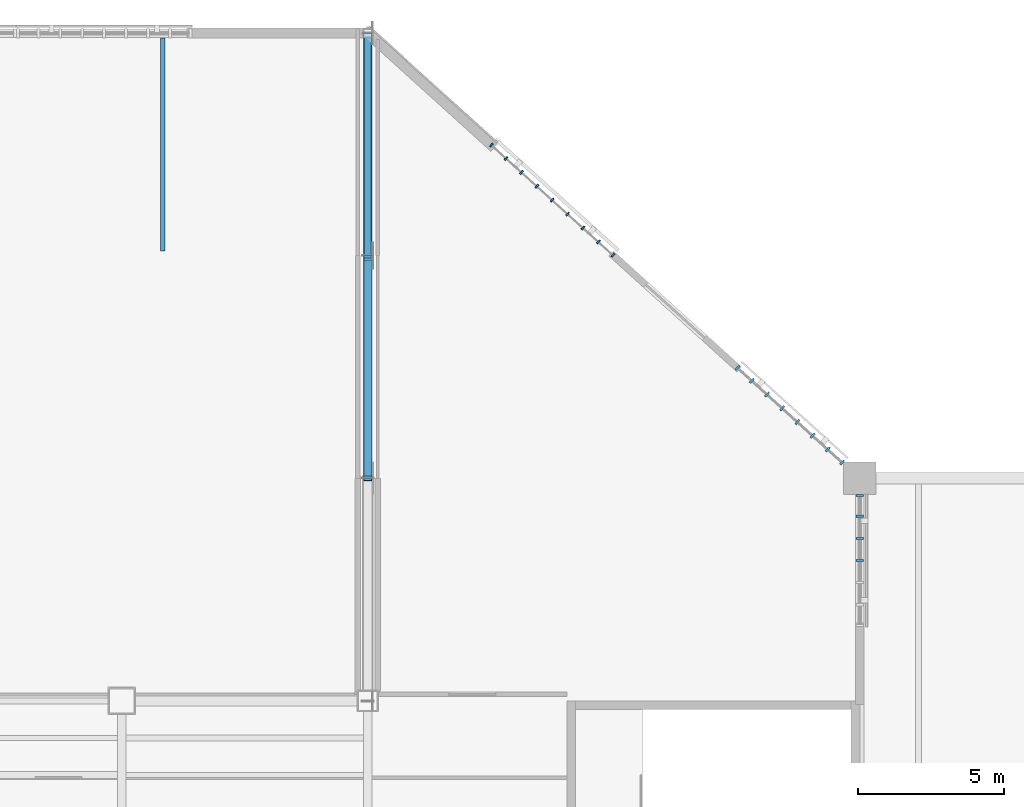
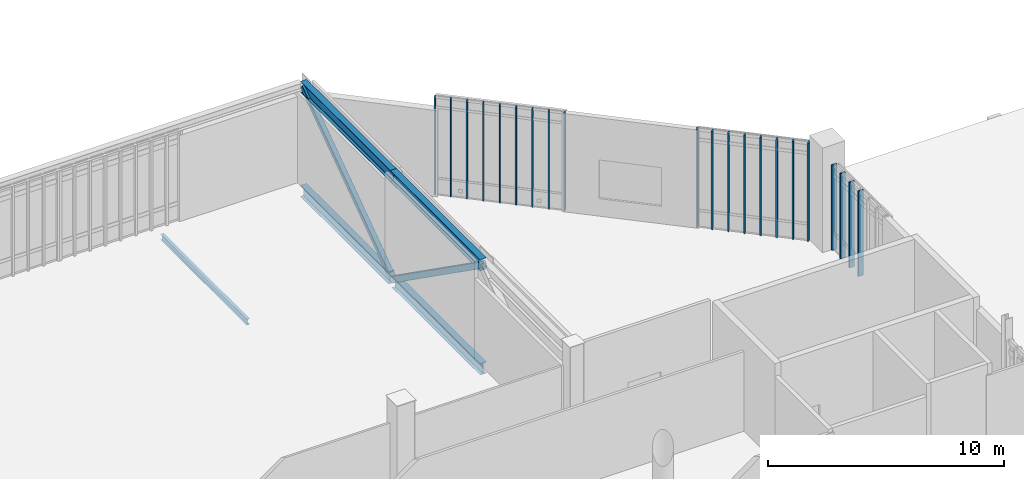
# One storey, part 30 of 135: 23 members, 5 beams, 3 elements without a shape of their own.
"""IFC4 building model written with IfcOpenShell, lengths in metres."""

from ifc_helpers import new_model, si_unit, direction, frame, origin, origin_2d, place, context, subcontext, project, spatial, rectangle, hollow_rectangle, i_section, extrude, material, material_profile, profile_set, type_object, element, aggregate, save


model = new_model("IFC4")

# Units and contexts
model_context = context("Model", 3, precision=1e-05, world=origin(), true_north=direction((0.0, 1.0)))
body_context = subcontext(model_context, "Body", "Model", "MODEL_VIEW")
ifc_project = project(units=[si_unit("LENGTHUNIT", "METRE"), si_unit("AREAUNIT", "SQUARE_METRE"), si_unit("VOLUMEUNIT", "CUBIC_METRE"), si_unit("PLANEANGLEUNIT", "RADIAN"), si_unit("MASSUNIT", "GRAM", prefix="KILO")], contexts=[model_context])

# Site, building, storey
site_placement = place(None, origin())
site = spatial("IfcSite", under=ifc_project, at=site_placement, CompositionType="ELEMENT")
building_placement = place(site_placement, origin())
building = spatial("IfcBuilding", under=site, at=building_placement, Name="Larkvane Passage Sports Hall", CompositionType="ELEMENT")
storey_placement = place(building_placement, frame((0.0, 0.0, 16.800048828125)))
storey = spatial("IfcBuildingStorey", under=building, at=storey_placement, Name="L03", CompositionType="ELEMENT", Elevation=16.800048828125)

# Beams
ifc_material_1 = material(Name="Steel S460N", Category="steel")
ifc_material_profile_1 = material_profile(ifc_material_1, i_section(OverallWidth=0.300048828125, OverallDepth=0.587890625, WebThickness=0.011962890625, FlangeThickness=0.02001953125, FilletRadius=0.02197265625, at=origin_2d()), Name="H-588x300x12x20")
ifc_profile_set_1 = profile_set([ifc_material_profile_1], Name="Steel S460N")
beam_type_1 = type_object("IfcBeamType", Name="BM-STL-H588", PredefinedType="BEAM", material=ifc_profile_set_1)
beam_1_placement = place(storey_placement, frame((76.800048828125, 99.199951171875, -0.614013671875), z_axis=(0.0, 1.0, 0.0), x_axis=(-1.0, 0.0, 0.0)))
element("IfcBeam", 1, at=beam_1_placement, inside=storey, type_object=beam_type_1, Name="Cantilever truss CT-N3A-2 bottom chord 2", PredefinedType="BEAM", context=body_context, shape_type="SweptSolid", body=[
    extrude(i_section(OverallWidth=0.300048828125, OverallDepth=0.587890625, WebThickness=0.011962890625, FlangeThickness=0.02001953125, FilletRadius=0.02197265625, at=origin_2d()), origin(), (0.0, 0.0, 1.0), 7.445068359375),
])
beam_2_placement = place(storey_placement, frame((76.800048828125, 99.199951171875, 4.755859375), z_axis=(0.0, 1.0, 0.0), x_axis=(-1.0, 0.0, 0.0)))
element("IfcBeam", 2, at=beam_2_placement, inside=storey, type_object=beam_type_1, Name="Cantilever truss CT-N3A-2 top chord 2", PredefinedType="BEAM", context=body_context, shape_type="SweptSolid", body=[
    extrude(i_section(OverallWidth=0.300048828125, OverallDepth=0.587890625, WebThickness=0.011962890625, FlangeThickness=0.02001953125, FilletRadius=0.02197265625, at=origin_2d()), origin(), (0.0, 0.0, 1.0), 7.60009765625),
])
beam_3_placement = place(storey_placement, frame((76.800048828125, 106.955078125, -0.614013671875), z_axis=(0.0, 1.0, 0.0), x_axis=(-1.0, 0.0, 0.0)))
element("IfcBeam", 3, at=beam_3_placement, inside=storey, type_object=beam_type_1, Name="Cantilever truss CT-N3A-2 bottom chord 3", PredefinedType="BEAM", context=body_context, shape_type="SweptSolid", body=[
    extrude(i_section(OverallWidth=0.300048828125, OverallDepth=0.587890625, WebThickness=0.011962890625, FlangeThickness=0.02001953125, FilletRadius=0.02197265625, at=origin_2d()), origin(), (0.0, 0.0, 1.0), 7.44482421875),
])
beam_4_placement = place(storey_placement, frame((76.800048828125, 106.800048828125, 4.755859375), z_axis=(0.0, 1.0, 0.0), x_axis=(-1.0, 0.0, 0.0)))
element("IfcBeam", 4, at=beam_4_placement, inside=storey, type_object=beam_type_1, Name="Cantilever truss CT-N3A-2 top chord 3", PredefinedType="BEAM", context=body_context, shape_type="SweptSolid", body=[
    extrude(i_section(OverallWidth=0.300048828125, OverallDepth=0.587890625, WebThickness=0.011962890625, FlangeThickness=0.02001953125, FilletRadius=0.02197265625, at=origin_2d()), origin(), (0.0, 0.0, 1.0), 7.599853515625),
])

# Curtain wall, members
ifc_material_2 = material(Name="Thermally broken aluminium and low-E glazing", Category="aluminium")
curtain_wall_type_1 = type_object("IfcCurtainWallType", Name="CW-UNIT-COURT", PredefinedType="USERDEFINED", material=ifc_material_2)
curtain_wall_1_placement = place(storey_placement, origin())
curtain_wall_1 = element("IfcCurtainWall", 5, at=curtain_wall_1_placement, inside=storey, type_object=curtain_wall_type_1, Name="Curtain wall CW5-L03-140", ObjectType="UNITISED CURTAIN WALL", PredefinedType="USERDEFINED")
ifc_material_3 = material(Name="Anodised aluminium 6063-T6", Category="aluminium")
ifc_material_profile_2 = material_profile(ifc_material_3, rectangle(XDim=0.06005859375, YDim=0.14990234375, at=origin_2d()), Name="ALU-MUL-60x150")
ifc_profile_set_2 = profile_set([ifc_material_profile_2], Name="Anodised aluminium 6063-T6")
member_type_1 = type_object("IfcMemberType", Name="CW-MUL-60x150", PredefinedType="MULLION", material=ifc_profile_set_2)
member_1_placement = place(storey_placement, frame((81.022216796875, 110.579833984375, 0.0), z_axis=(0.0, 0.0, 1.0), x_axis=(0.741535779122, -0.670913323971, 0.0)))
member_1 = element("IfcMember", 6, at=member_1_placement, type_object=member_type_1, Name="CW-01 mullion 1", PredefinedType="MULLION", context=body_context, shape_type="SweptSolid", body=[
    extrude(rectangle(XDim=0.06005859375, YDim=0.14990234375, at=origin_2d()), origin(), (0.0, 0.0, 1.0), 5.070068359375),
])
member_2_placement = place(storey_placement, frame((81.52490234375, 110.125, 0.0), z_axis=(0.0, 0.0, 1.0), x_axis=(0.741535779122, -0.670913323971, 0.0)))
member_2 = element("IfcMember", 7, at=member_2_placement, type_object=member_type_1, Name="CW-01 mullion 2", PredefinedType="MULLION", context=body_context, shape_type="SweptSolid", body=[
    extrude(rectangle(XDim=0.06005859375, YDim=0.14990234375, at=origin_2d()), origin(), (0.0, 0.0, 1.0), 5.070068359375),
])
member_3_placement = place(storey_placement, frame((82.050048828125, 109.64990234375, 0.0), z_axis=(0.0, 0.0, 1.0), x_axis=(0.741535779122, -0.670913323971, 0.0)))
member_3 = element("IfcMember", 8, at=member_3_placement, type_object=member_type_1, Name="CW-01 mullion 3", PredefinedType="MULLION", context=body_context, shape_type="SweptSolid", body=[
    extrude(rectangle(XDim=0.06005859375, YDim=0.14990234375, at=origin_2d()), origin(), (0.0, 0.0, 1.0), 5.070068359375),
])
member_4_placement = place(storey_placement, frame((82.574951171875, 109.175048828125, 0.0), z_axis=(0.0, 0.0, 1.0), x_axis=(0.741535779122, -0.670913323971, 0.0)))
member_4 = element("IfcMember", 9, at=member_4_placement, type_object=member_type_1, Name="CW-01 mullion 4", PredefinedType="MULLION", context=body_context, shape_type="SweptSolid", body=[
    extrude(rectangle(XDim=0.06005859375, YDim=0.14990234375, at=origin_2d()), origin(), (0.0, 0.0, 1.0), 5.070068359375),
])
member_5_placement = place(storey_placement, frame((83.10009765625, 108.699951171875, 0.0), z_axis=(0.0, 0.0, 1.0), x_axis=(0.741535779122, -0.670913323971, 0.0)))
member_5 = element("IfcMember", 10, at=member_5_placement, type_object=member_type_1, Name="CW-01 mullion 5", PredefinedType="MULLION", context=body_context, shape_type="SweptSolid", body=[
    extrude(rectangle(XDim=0.06005859375, YDim=0.14990234375, at=origin_2d()), origin(), (0.0, 0.0, 1.0), 5.070068359375),
])
member_6_placement = place(storey_placement, frame((83.625, 108.22509765625, 0.0), z_axis=(0.0, 0.0, 1.0), x_axis=(0.741535779122, -0.670913323971, 0.0)))
member_6 = element("IfcMember", 11, at=member_6_placement, type_object=member_type_1, Name="CW-01 mullion 6", PredefinedType="MULLION", context=body_context, shape_type="SweptSolid", body=[
    extrude(rectangle(XDim=0.06005859375, YDim=0.14990234375, at=origin_2d()), origin(), (0.0, 0.0, 1.0), 5.070068359375),
])
member_7_placement = place(storey_placement, frame((84.14990234375, 107.75, 0.0), z_axis=(0.0, 0.0, 1.0), x_axis=(0.741535779122, -0.670913323971, 0.0)))
member_7 = element("IfcMember", 12, at=member_7_placement, type_object=member_type_1, Name="CW-01 mullion 7", PredefinedType="MULLION", context=body_context, shape_type="SweptSolid", body=[
    extrude(rectangle(XDim=0.06005859375, YDim=0.14990234375, at=origin_2d()), origin(), (0.0, 0.0, 1.0), 5.070068359375),
])
member_8_placement = place(storey_placement, frame((84.675048828125, 107.27490234375, 0.0), z_axis=(0.0, 0.0, 1.0), x_axis=(0.741535779122, -0.670913323971, 0.0)))
member_8 = element("IfcMember", 13, at=member_8_placement, type_object=member_type_1, Name="CW-01 mullion 8", PredefinedType="MULLION", context=body_context, shape_type="SweptSolid", body=[
    extrude(rectangle(XDim=0.06005859375, YDim=0.14990234375, at=origin_2d()), origin(), (0.0, 0.0, 1.0), 5.070068359375),
])
member_9_placement = place(storey_placement, frame((85.177734375, 106.820068359375, 0.0), z_axis=(0.0, 0.0, 1.0), x_axis=(0.741535779122, -0.670913323971, 0.0)))
member_9 = element("IfcMember", 14, at=member_9_placement, type_object=member_type_1, Name="CW-01 mullion 9", PredefinedType="MULLION", context=body_context, shape_type="SweptSolid", body=[
    extrude(rectangle(XDim=0.06005859375, YDim=0.14990234375, at=origin_2d()), origin(), (0.0, 0.0, 1.0), 5.070068359375),
])
aggregate(curtain_wall_1, [member_1, member_2, member_3, member_4, member_5, member_6, member_7, member_8, member_9])

curtain_wall_type_2 = type_object("IfcCurtainWallType", Name="CW-UNIT-VEIL", PredefinedType="USERDEFINED", material=ifc_material_2)
curtain_wall_2_placement = place(storey_placement, origin())
curtain_wall_2 = element("IfcCurtainWall", 15, at=curtain_wall_2_placement, inside=storey, type_object=curtain_wall_type_2, Name="Curtain wall CW5-L03-141", ObjectType="UNITISED CURTAIN WALL", PredefinedType="USERDEFINED")
ifc_material_profile_3 = material_profile(ifc_material_3, rectangle(XDim=0.070068359375, YDim=0.199951171875, at=origin_2d()), Name="ALU-MUL-70x200")
ifc_profile_set_3 = profile_set([ifc_material_profile_3], Name="Anodised aluminium 6063-T6")
member_type_2 = type_object("IfcMemberType", Name="CW-MUL-70x200", PredefinedType="MULLION", material=ifc_profile_set_3)
member_10_placement = place(storey_placement, frame((89.426025390625, 102.9765625, 0.0), z_axis=(0.0, 0.0, 1.0), x_axis=(0.741533841653, -0.670915465378, 0.0)))
member_10 = element("IfcMember", 16, at=member_10_placement, type_object=member_type_2, Name="CW-02 mullion 1", PredefinedType="MULLION", context=body_context, shape_type="SweptSolid", body=[
    extrude(rectangle(XDim=0.070068359375, YDim=0.199951171875, at=origin_2d()), origin(), (0.0, 0.0, 1.0), 5.070068359375),
])
member_11_placement = place(storey_placement, frame((89.918212890625, 102.53125, 0.0), z_axis=(0.0, 0.0, 1.0), x_axis=(0.741533841653, -0.670915465378, 0.0)))
member_11 = element("IfcMember", 17, at=member_11_placement, type_object=member_type_2, Name="CW-02 mullion 2", PredefinedType="MULLION", context=body_context, shape_type="SweptSolid", body=[
    extrude(rectangle(XDim=0.070068359375, YDim=0.199951171875, at=origin_2d()), origin(), (0.0, 0.0, 1.0), 5.070068359375),
])
member_12_placement = place(storey_placement, frame((90.436279296875, 102.0625, 0.0), z_axis=(0.0, 0.0, 1.0), x_axis=(0.741533841653, -0.670915465378, 0.0)))
member_12 = element("IfcMember", 18, at=member_12_placement, type_object=member_type_2, Name="CW-02 mullion 3", PredefinedType="MULLION", context=body_context, shape_type="SweptSolid", body=[
    extrude(rectangle(XDim=0.070068359375, YDim=0.199951171875, at=origin_2d()), origin(), (0.0, 0.0, 1.0), 5.070068359375),
])
member_13_placement = place(storey_placement, frame((90.954345703125, 101.59375, 0.0), z_axis=(0.0, 0.0, 1.0), x_axis=(0.741533841653, -0.670915465378, 0.0)))
member_13 = element("IfcMember", 19, at=member_13_placement, type_object=member_type_2, Name="CW-02 mullion 4", PredefinedType="MULLION", context=body_context, shape_type="SweptSolid", body=[
    extrude(rectangle(XDim=0.070068359375, YDim=0.199951171875, at=origin_2d()), origin(), (0.0, 0.0, 1.0), 5.070068359375),
])
member_14_placement = place(storey_placement, frame((91.472412109375, 101.124755859375, 0.0), z_axis=(0.0, 0.0, 1.0), x_axis=(0.741533841653, -0.670915465378, 0.0)))
member_14 = element("IfcMember", 20, at=member_14_placement, type_object=member_type_2, Name="CW-02 mullion 5", PredefinedType="MULLION", context=body_context, shape_type="SweptSolid", body=[
    extrude(rectangle(XDim=0.070068359375, YDim=0.199951171875, at=origin_2d()), origin(), (0.0, 0.0, 1.0), 5.070068359375),
])
member_15_placement = place(storey_placement, frame((91.99072265625, 100.656005859375, 0.0), z_axis=(0.0, 0.0, 1.0), x_axis=(0.741533841653, -0.670915465378, 0.0)))
member_15 = element("IfcMember", 21, at=member_15_placement, type_object=member_type_2, Name="CW-02 mullion 6", PredefinedType="MULLION", context=body_context, shape_type="SweptSolid", body=[
    extrude(rectangle(XDim=0.070068359375, YDim=0.199951171875, at=origin_2d()), origin(), (0.0, 0.0, 1.0), 5.070068359375),
])
member_16_placement = place(storey_placement, frame((92.5087890625, 100.187255859375, 0.0), z_axis=(0.0, 0.0, 1.0), x_axis=(0.741533841653, -0.670915465378, 0.0)))
member_16 = element("IfcMember", 22, at=member_16_placement, type_object=member_type_2, Name="CW-02 mullion 7", PredefinedType="MULLION", context=body_context, shape_type="SweptSolid", body=[
    extrude(rectangle(XDim=0.070068359375, YDim=0.199951171875, at=origin_2d()), origin(), (0.0, 0.0, 1.0), 5.070068359375),
])
member_17_placement = place(storey_placement, frame((93.0009765625, 99.741943359375, 0.0), z_axis=(0.0, 0.0, 1.0), x_axis=(0.741533841653, -0.670915465378, 0.0)))
member_17 = element("IfcMember", 23, at=member_17_placement, type_object=member_type_2, Name="CW-02 mullion 8", PredefinedType="MULLION", context=body_context, shape_type="SweptSolid", body=[
    extrude(rectangle(XDim=0.070068359375, YDim=0.199951171875, at=origin_2d()), origin(), (0.0, 0.0, 1.0), 5.070068359375),
])
aggregate(curtain_wall_2, [member_10, member_11, member_12, member_13, member_14, member_15, member_16, member_17])

curtain_wall_type_3 = type_object("IfcCurtainWallType", Name="CW-STICK-FOYER", PredefinedType="USERDEFINED", material=ifc_material_2)
curtain_wall_3_placement = place(storey_placement, origin())
curtain_wall_3 = element("IfcCurtainWall", 24, at=curtain_wall_3_placement, inside=storey, type_object=curtain_wall_type_3, Name="Curtain wall CW5-L03-142", ObjectType="STICK CURTAIN WALL", PredefinedType="USERDEFINED")
ifc_material_profile_4 = material_profile(ifc_material_3, rectangle(XDim=0.080078125, YDim=0.25, at=origin_2d()), Name="ALU-MUL-80x250")
ifc_profile_set_4 = profile_set([ifc_material_profile_4], Name="Anodised aluminium 6063-T6")
member_type_3 = type_object("IfcMemberType", Name="CW-MUL-80x250", PredefinedType="MULLION", material=ifc_profile_set_4)
member_18_placement = place(storey_placement, frame((93.60009765625, 98.614013671875, 0.0), z_axis=(0.0, 0.0, 1.0), x_axis=(0.0, -1.0, 0.0)))
member_18 = element("IfcMember", 25, at=member_18_placement, type_object=member_type_3, Name="CW-03 mullion 1", PredefinedType="MULLION", context=body_context, shape_type="SweptSolid", body=[
    extrude(rectangle(XDim=0.080078125, YDim=0.25, at=origin_2d()), origin(), (0.0, 0.0, 1.0), 4.407958984375),
])
member_19_placement = place(storey_placement, frame((93.60009765625, 97.900634765625, 0.0), z_axis=(0.0, 0.0, 1.0), x_axis=(0.0, -1.0, 0.0)))
member_19 = element("IfcMember", 26, at=member_19_placement, type_object=member_type_3, Name="CW-03 mullion 2", PredefinedType="MULLION", context=body_context, shape_type="SweptSolid", body=[
    extrude(rectangle(XDim=0.080078125, YDim=0.25, at=origin_2d()), origin(), (0.0, 0.0, 1.0), 4.407958984375),
])
member_20_placement = place(storey_placement, frame((93.60009765625, 97.147216796875, 0.0), z_axis=(0.0, 0.0, 1.0), x_axis=(0.0, -1.0, 0.0)))
member_20 = element("IfcMember", 27, at=member_20_placement, type_object=member_type_3, Name="CW-03 mullion 3", PredefinedType="MULLION", context=body_context, shape_type="SweptSolid", body=[
    extrude(rectangle(XDim=0.080078125, YDim=0.25, at=origin_2d()), origin(), (0.0, 0.0, 1.0), 4.407958984375),
])
member_21_placement = place(storey_placement, frame((93.60009765625, 96.3935546875, 0.0), z_axis=(0.0, 0.0, 1.0), x_axis=(0.0, -1.0, 0.0)))
member_21 = element("IfcMember", 28, at=member_21_placement, type_object=member_type_3, Name="CW-03 mullion 4", PredefinedType="MULLION", context=body_context, shape_type="SweptSolid", body=[
    extrude(rectangle(XDim=0.080078125, YDim=0.25, at=origin_2d()), origin(), (0.0, 0.0, 1.0), 4.407958984375),
])
aggregate(curtain_wall_3, [member_18, member_19, member_20, member_21])

# Beam
ifc_material_4 = material(Name="Steel S355JR", Category="steel")
ifc_material_profile_5 = material_profile(ifc_material_4, i_section(OverallWidth=0.14990234375, OverallDepth=0.300048828125, WebThickness=0.006591796875, FlangeThickness=0.009033203125, FilletRadius=0.012939453125, at=origin_2d()), Name="H-300x150x6.5x9")
ifc_profile_set_5 = profile_set([ifc_material_profile_5], Name="Steel S355JR")
beam_type_2 = type_object("IfcBeamType", Name="JST-STL-H300", PredefinedType="JOIST", material=ifc_profile_set_5)
beam_5_placement = place(storey_placement, frame((69.800048828125, 106.9599609375, -0.469970703125), z_axis=(0.0, 1.0, 0.0), x_axis=(-1.0, 0.0, 0.0)))
element("IfcBeam", 29, at=beam_5_placement, inside=storey, type_object=beam_type_2, Name="Cantilever floor joist CT-N3A--3-5", PredefinedType="JOIST", context=body_context, shape_type="SweptSolid", body=[
    extrude(i_section(OverallWidth=0.14990234375, OverallDepth=0.300048828125, WebThickness=0.006591796875, FlangeThickness=0.009033203125, FilletRadius=0.012939453125, at=origin_2d()), origin(), (0.0, 0.0, 1.0), 7.280029296875),
])

# Members
ifc_material_profile_6 = material_profile(ifc_material_1, hollow_rectangle(XDim=0.25, YDim=0.25, WallThickness=0.011962890625, InnerFilletRadius=0.011962890625, OuterFilletRadius=0.02392578125, at=origin_2d()), Name="SHS-250x250x12")
ifc_profile_set_6 = profile_set([ifc_material_profile_6], Name="Steel S460N")
member_type_4 = type_object("IfcMemberType", Name="MBR-BR-SHS250", PredefinedType="BRACE", material=ifc_profile_set_6)
member_22_placement = place(storey_placement, frame((76.800048828125, 106.800048828125, -0.614013671875), z_axis=(0.0, 0.816700931894, 0.577061164734), x_axis=(-1.0, 0.0, 0.0)))
element("IfcMember", 30, at=member_22_placement, inside=storey, type_object=member_type_4, Name="Cantilever truss CT-N3A-2 web diagonal 3", PredefinedType="BRACE", context=body_context, shape_type="SweptSolid", body=[
    extrude(hollow_rectangle(XDim=0.25, YDim=0.25, WallThickness=0.011962890625, InnerFilletRadius=0.011962890625, OuterFilletRadius=0.02392578125, at=origin_2d()), origin(), (0.0, 0.0, 1.0), 9.3056640625),
])
ifc_material_profile_7 = material_profile(ifc_material_1, hollow_rectangle(XDim=0.300048828125, YDim=0.300048828125, WallThickness=0.011962890625, InnerFilletRadius=0.011962890625, OuterFilletRadius=0.02392578125, at=origin_2d()), Name="SHS-300x300x12")
ifc_profile_set_7 = profile_set([ifc_material_profile_7], Name="Steel S460N")
member_type_5 = type_object("IfcMemberType", Name="MBR-BR-SHS300", PredefinedType="BRACE", material=ifc_profile_set_7)
member_23_placement = place(storey_placement, frame((76.800048828125, 99.199951171875, 4.755859375), z_axis=(0.0, 0.816709668195, -0.577048800256), x_axis=(-1.0, 0.0, 0.0)))
element("IfcMember", 31, at=member_23_placement, inside=storey, type_object=member_type_5, Name="Cantilever truss CT-N3A-2 web diagonal 2", PredefinedType="BRACE", context=body_context, shape_type="SweptSolid", body=[
    extrude(hollow_rectangle(XDim=0.300048828125, YDim=0.300048828125, WallThickness=0.011962890625, InnerFilletRadius=0.011962890625, OuterFilletRadius=0.02392578125, at=origin_2d()), origin(), (0.0, 0.0, 1.0), 9.3056640625),
])

save(model, "model.ifc")
